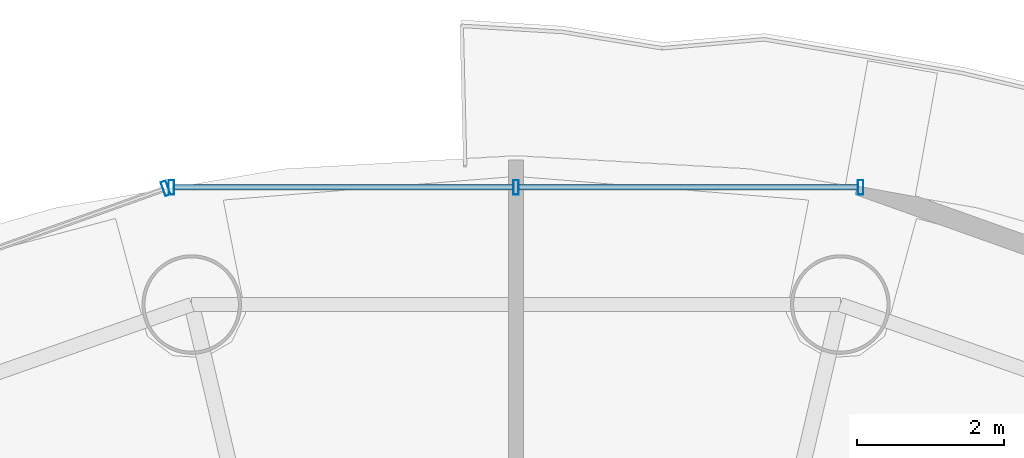
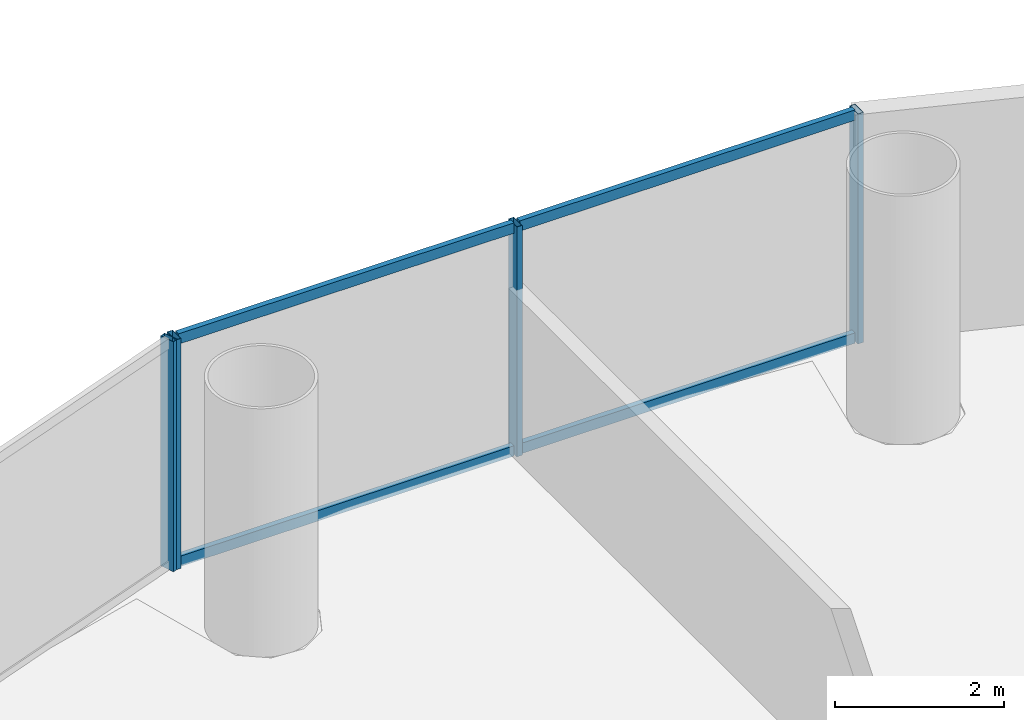
# One storey, part 16 of 26: 8 members, 2 elements without a shape of their own.
"""IFC4 building model written with IfcOpenShell, lengths in metres."""

from ifc_helpers import new_model, si_unit, direction, frame, origin, origin_2d, place, context, subcontext, project, spatial, hollow_rectangle, extrude, source, transform, mapped, material, material_profile, profile_set, type_object, element, aggregate, save


model = new_model("IFC4")

# Units and contexts
model_context = context("Model", 3, precision=1e-05, world=origin(), true_north=direction((-0.2419218956, 0.970295726276)))
body_context = subcontext(model_context, "Body", "Model", "MODEL_VIEW")
ifc_project = project(units=[si_unit("LENGTHUNIT", "METRE"), si_unit("AREAUNIT", "SQUARE_METRE"), si_unit("VOLUMEUNIT", "CUBIC_METRE"), si_unit("PLANEANGLEUNIT", "RADIAN"), si_unit("MASSUNIT", "GRAM", prefix="KILO")], contexts=[model_context])

# Site, building, storey
site_placement = place(None, origin())
site = spatial("IfcSite", under=ifc_project, at=site_placement, CompositionType="ELEMENT")
building_placement = place(site_placement, origin())
building = spatial("IfcBuilding", under=site, at=building_placement, Name="Cobrevalo Terracotta Tower", CompositionType="ELEMENT")
storey_placement = place(building_placement, frame((0.0, 0.0, 171.39990234375)))
storey = spatial("IfcBuildingStorey", under=building, at=storey_placement, Name="L45", CompositionType="ELEMENT", Elevation=171.39990234375)

# Curtain wall, members
ifc_material = material(Name="Anodized aluminium", Category="aluminium")
curtain_wall_type = type_object("IfcCurtainWallType", Name="Mid-tower high-wind unitised curtain wall CW-U2", PredefinedType="NOTDEFINED", material=ifc_material)
curtain_wall_1_placement = place(storey_placement, origin())
curtain_wall_1 = element("IfcCurtainWall", 1, at=curtain_wall_1_placement, inside=storey, type_object=curtain_wall_type, Name="L45 curtain wall CW-L45-S04", PredefinedType="NOTDEFINED")
ifc_material_profile_1 = material_profile(ifc_material, hollow_rectangle(XDim=0.074951171875, YDim=0.199951171875, WallThickness=0.0048828125, at=origin_2d()), Name="CWM 75x200")
ifc_profile_set_1 = profile_set([ifc_material_profile_1], Name="Anodized aluminium")
member_type_1 = type_object("IfcMemberType", Name="Lower/mid tower unitised mullion 75x200", PredefinedType="MULLION", material=ifc_profile_set_1)
shared_shape_1 = source(origin(), body_context, "Body", "SweptSolid", [
    extrude(hollow_rectangle(XDim=0.074951171875, YDim=0.199951171875, WallThickness=0.0048828125, at=origin_2d()), origin(), (0.0, 0.0, 1.0), 3.330078125),
])
member_1_placement = place(storey_placement, frame((42.67529296875, 47.1708984375, 0.0), z_axis=(0.0, 0.0, 1.0), x_axis=(-1.0, 0.0, 0.0)))
member_1 = element("IfcMember", 2, at=member_1_placement, type_object=member_type_1, Name="CW-L45-S04 vertical mullion 01", PredefinedType="MULLION", context=body_context, shape_type="MappedRepresentation", body=[
    mapped(shared_shape_1, transform((0.0, 0.0, 0.0), scale=1.0)),
])
member_2_placement = place(storey_placement, frame((38.0, 47.1708984375, 0.0), z_axis=(0.0, 0.0, 1.0), x_axis=(-1.0, 0.0, 0.0)))
member_2 = element("IfcMember", 3, at=member_2_placement, type_object=member_type_1, Name="CW-L45-S04 vertical mullion 02", PredefinedType="MULLION", context=body_context, shape_type="MappedRepresentation", body=[
    mapped(shared_shape_1, transform((0.0, 0.0, 0.0), scale=1.0)),
])
member_3_placement = place(storey_placement, frame((33.32470703125, 47.1708984375, 0.0), z_axis=(0.0, 0.0, 1.0), x_axis=(-1.0, 0.0, 0.0)))
member_3 = element("IfcMember", 4, at=member_3_placement, type_object=member_type_1, Name="CW-L45-S04 vertical mullion 03", PredefinedType="MULLION", context=body_context, shape_type="MappedRepresentation", body=[
    mapped(shared_shape_1, transform((0.0, 0.0, 0.0), scale=1.0)),
])

# Curtain wall, member
curtain_wall_2_placement = place(storey_placement, origin())
curtain_wall_2 = element("IfcCurtainWall", 5, at=curtain_wall_2_placement, inside=storey, type_object=curtain_wall_type, Name="L45 curtain wall CW-L45-S05", PredefinedType="NOTDEFINED")
member_4_placement = place(storey_placement, frame((33.2470703125, 47.157470703125, 0.0), z_axis=(0.0, 0.0, 1.0), x_axis=(-0.942098428897, -0.335336473217, 0.0)))
member_4 = element("IfcMember", 6, at=member_4_placement, type_object=member_type_1, Name="CW-L45-S05 vertical mullion 01", PredefinedType="MULLION", context=body_context, shape_type="MappedRepresentation", body=[
    mapped(shared_shape_1, transform((0.0, 0.0, 0.0), scale=1.0)),
])
aggregate(curtain_wall_2, [member_4])

# Member
ifc_material_profile_2 = material_profile(ifc_material, hollow_rectangle(XDim=0.074951171875, YDim=0.14990234375, WallThickness=0.00439453125, at=origin_2d()), Name="CWT 75x150")
ifc_profile_set_2 = profile_set([ifc_material_profile_2], Name="Anodized aluminium")
member_type_2 = type_object("IfcMemberType", Name="Tower unitised aluminium transom 75x150", PredefinedType="USERDEFINED", material=ifc_profile_set_2)
shared_shape_2 = source(origin(), body_context, "Body", "SweptSolid", [
    extrude(hollow_rectangle(XDim=0.074951171875, YDim=0.14990234375, WallThickness=0.00439453125, at=origin_2d()), origin(), (0.0, 0.0, 1.0), 4.59521484375),
])
member_5_placement = place(storey_placement, frame((42.63525390625, 47.1708984375, 0.050048828125), z_axis=(-1.0, 0.0, 0.0), x_axis=(0.0, -1.0, 0.0)))
member_5 = element("IfcMember", 7, at=member_5_placement, type_object=member_type_2, Name="CW-L45-S04 transom B01-T1", ObjectType="TRANSOM", PredefinedType="USERDEFINED", context=body_context, shape_type="MappedRepresentation", body=[
    mapped(shared_shape_2, transform((0.0, 0.0, 0.0), scale=1.0)),
])

member_6_placement = place(storey_placement, frame((42.63525390625, 47.1708984375, 3.280029296875), z_axis=(-1.0, 0.0, 0.0), x_axis=(0.0, -1.0, 0.0)))
member_6 = element("IfcMember", 8, at=member_6_placement, type_object=member_type_2, Name="CW-L45-S04 transom B01-T2", ObjectType="TRANSOM", PredefinedType="USERDEFINED", context=body_context, shape_type="MappedRepresentation", body=[
    mapped(shared_shape_2, transform((0.0, 0.0, 0.0), scale=1.0)),
])

member_7_placement = place(storey_placement, frame((37.9599609375, 47.1708984375, 0.050048828125), z_axis=(-1.0, 0.0, 0.0), x_axis=(0.0, -1.0, 0.0)))
member_7 = element("IfcMember", 9, at=member_7_placement, type_object=member_type_2, Name="CW-L45-S04 transom B02-T1", ObjectType="TRANSOM", PredefinedType="USERDEFINED", context=body_context, shape_type="MappedRepresentation", body=[
    mapped(shared_shape_2, transform((0.0, 0.0, 0.0), scale=1.0)),
])

member_8_placement = place(storey_placement, frame((37.9599609375, 47.1708984375, 3.280029296875), z_axis=(-1.0, 0.0, 0.0), x_axis=(0.0, -1.0, 0.0)))
member_8 = element("IfcMember", 10, at=member_8_placement, type_object=member_type_2, Name="CW-L45-S04 transom B02-T2", ObjectType="TRANSOM", PredefinedType="USERDEFINED", context=body_context, shape_type="MappedRepresentation", body=[
    mapped(shared_shape_2, transform((0.0, 0.0, 0.0), scale=1.0)),
])

aggregate(curtain_wall_1, [member_1, member_2, member_3, member_5, member_6, member_7, member_8])

save(model, "model.ifc")
